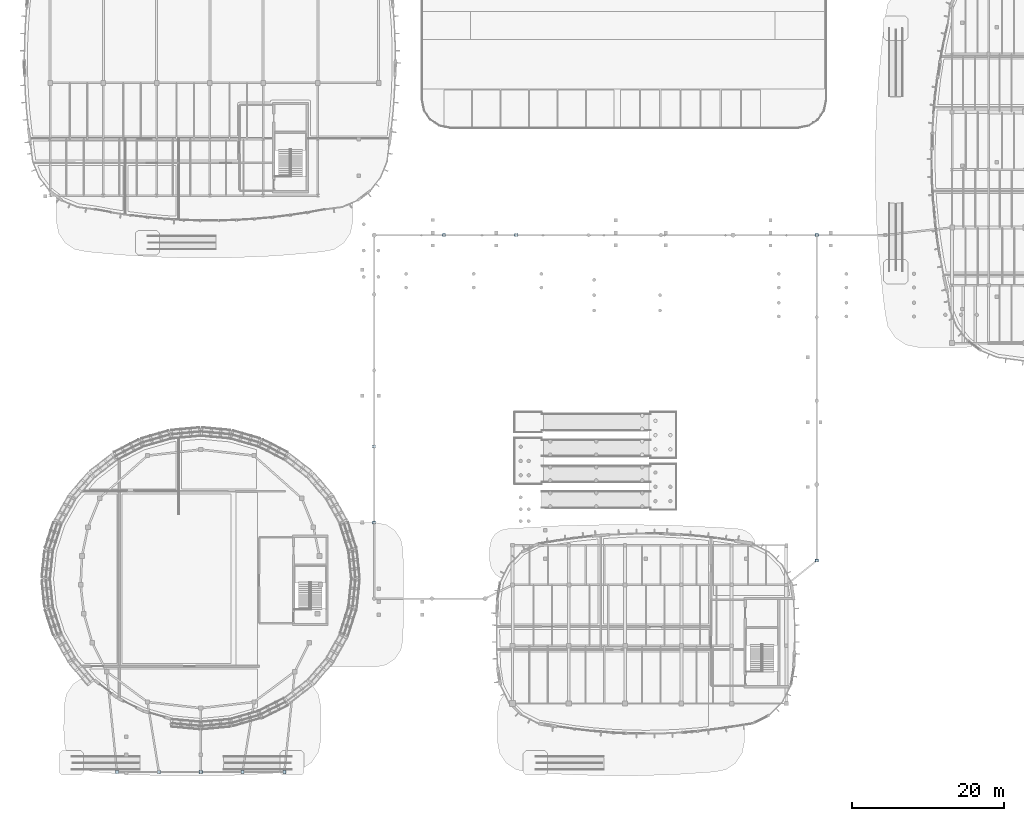
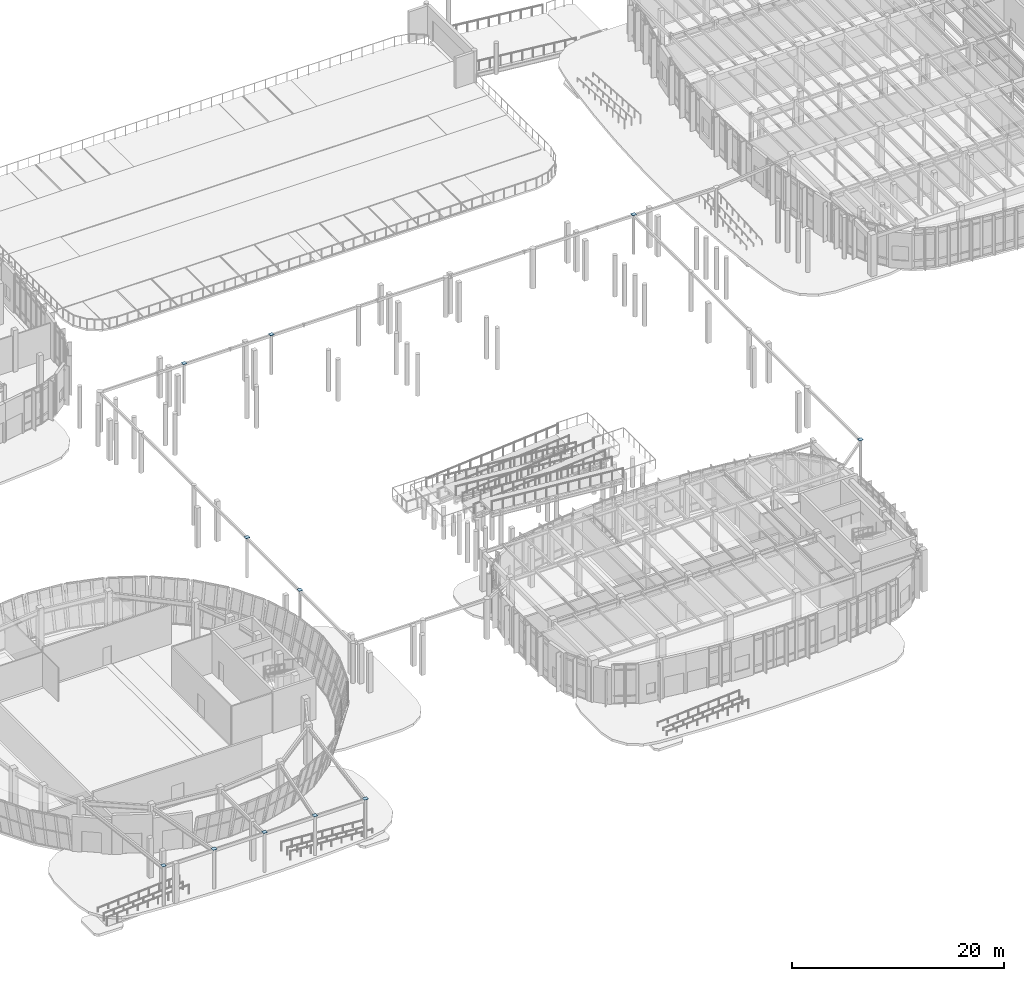
# One storey, part 87 of 120: 11 plates.
"""IFC4 building model written with IfcOpenShell, lengths in metres."""

from ifc_helpers import new_model, si_unit, direction, frame, origin, origin_2d, place, context, subcontext, project, spatial, rectangle, extrude, material, layer, layer_set, type_object, element, save


model = new_model("IFC4")

# Units and contexts
model_context = context("Model", 3, precision=1e-05, world=origin(), true_north=direction((0.0, 1.0)))
body_context = subcontext(model_context, "Body", "Model", "MODEL_VIEW")
ifc_project = project(units=[si_unit("LENGTHUNIT", "METRE"), si_unit("AREAUNIT", "SQUARE_METRE"), si_unit("VOLUMEUNIT", "CUBIC_METRE"), si_unit("PLANEANGLEUNIT", "RADIAN"), si_unit("MASSUNIT", "GRAM", prefix="KILO")], contexts=[model_context])

# Site, building, storey
site_placement = place(None, origin())
site = spatial("IfcSite", under=ifc_project, at=site_placement, CompositionType="ELEMENT")
building_placement = place(site_placement, origin())
building = spatial("IfcBuilding", under=site, at=building_placement, Name="Corveleigh Park Community Centre", CompositionType="ELEMENT")
storey_placement = place(building_placement, origin())
storey = spatial("IfcBuildingStorey", under=building, at=storey_placement, Name="L00", CompositionType="ELEMENT", Elevation=0.0)

# Plates
ifc_material = material(Name="Steel S355", Category="steel")
ifc_layer = layer(ifc_material, 0.02197265625, Name="Steel S355", Category="steel")
ifc_layer_set = layer_set([ifc_layer], Name="Steel S355")
plate_type = type_object("IfcPlateType", Name="PLT-CAP-22", PredefinedType="SHEET", material=ifc_layer_set)
for number, where, z_axis, x_axis, name in (
    (1, (20.0, 2.199951171875, 4.550048828125), (0.0, 0.0, 1.0), (1.0, 0.0, 0.0), "Column V1-CAN1 head cap plate"),
    (2, (25.5, 2.199951171875, 4.550048828125), (0.0, 0.0, 1.0), (1.0, 0.0, 0.0), "Column V1-CAN2 head cap plate"),
    (3, (31.0, 2.199951171875, 4.550048828125), (0.0, 0.0, 1.0), (1.0, 0.0, 0.0), "Column V1-CAN3 head cap plate"),
    (4, (36.5, 2.199951171875, 4.550048828125), (0.0, 0.0, 1.0), (1.0, 0.0, 0.0), "Column V1-CAN4 head cap plate"),
    (5, (42.0, 2.199951171875, 4.550048828125), (0.0, 0.0, 1.0), (1.0, 0.0, 0.0), "Column V1-CAN5 head cap plate"),
    (6, (53.800048828125, 35.0, 4.5859375), (0.0, 0.0, 1.0), (1.0, 0.0, 0.0), "Column V5-W1 head cap plate"),
    (7, (53.800048828125, 45.0, 4.5859375), (0.0, 0.0, 1.0), (1.0, 0.0, 0.0), "Column V5-W2 head cap plate"),
    (8, (63.0, 72.800048828125, 4.56591796875), (0.0, 0.0, 1.0), (1.0, 0.0, 0.0), "Column V5-N1 head cap plate"),
    (9, (72.5, 72.800048828125, 4.56591796875), (0.0, 0.0, 1.0), (1.0, 0.0, 0.0), "Column V5-N2 head cap plate"),
    (10, (112.0, 72.800048828125, 4.56591796875), (0.0, 0.0, 1.0), (1.0, 0.0, 0.0), "Column V5-N6 head cap plate"),
    (11, (112.0, 30.0, 4.56591796875), (0.0, 0.0, 1.0), (1.0, 0.0, 0.0), "Column V5-E4 head cap plate"),
):
    element("IfcPlate", number, at=place(storey_placement, frame(where, z_axis=z_axis, x_axis=x_axis)), inside=storey, type_object=plate_type, Name=name, PredefinedType="SHEET", context=body_context, shape_type="SweptSolid", body=[
        extrude(rectangle(XDim=0.419921875, YDim=0.419921875, at=origin_2d()), origin(), (0.0, 0.0, 1.0), 0.02197265625),
    ])

save(model, "model.ifc")
